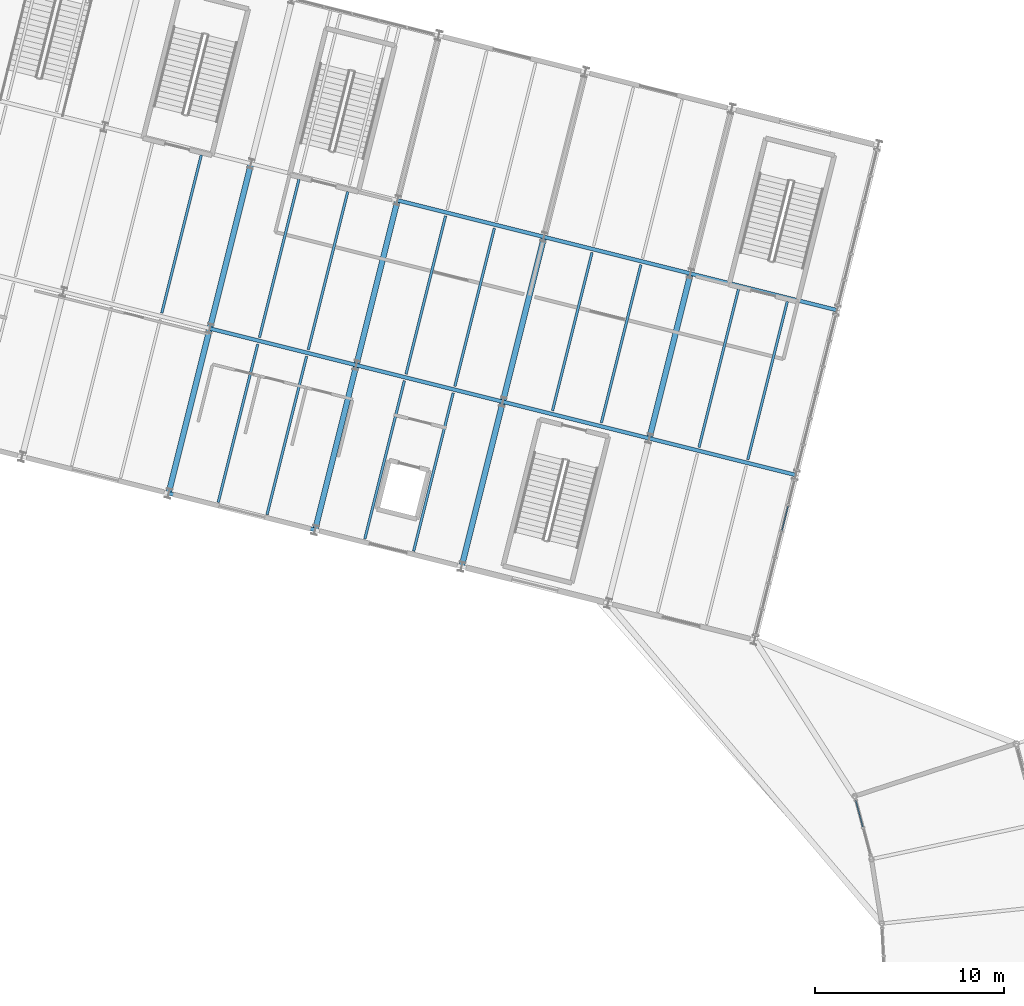
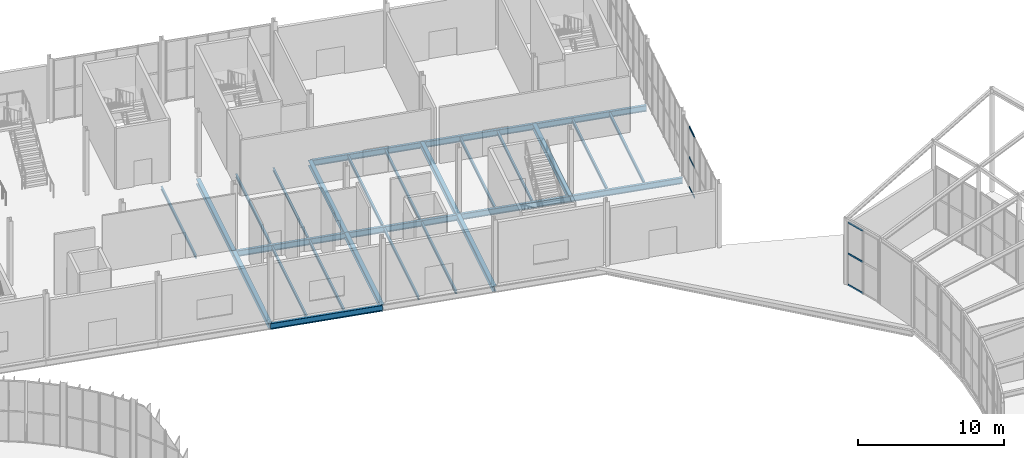
# One storey, part 96 of 158: 28 beams, 6 members, 2 elements without a shape of their own.
"""IFC4 building model written with IfcOpenShell, lengths in metres."""

import ifcopenshell
import ifcopenshell.guid

model = None  # the IFC model being written
_history = None  # IfcOwnerHistory: only IFC2X3 demands one
_inside = {}  # id of a spatial element -> (the spatial element, [elements in it])
_under = {}  # id of a project, library or spatial element -> (it, [spatial elements below it])
_declared = {}  # id of a project -> (the project, [libraries it declares])
_typed = {}  # id of a type object -> (the type object, [elements of that type])
_made_of = {}  # id of a material, layer set ... -> (it, [elements and type objects made of it])


def new_model(schema):
    """Start an empty IFC model of exactly this schema.

    Asked for "IFC4X3", IfcOpenShell would pick the latest addendum, in which some entities
    have other attributes; the version numbers below select the first issue.
    IFC2X3 requires an IfcOwnerHistory on every rooted entity: one is made here for all.
    """
    global model, _history
    if schema == "IFC4X3":
        model = ifcopenshell.file(schema_version=(4, 3, 0, 0))
    else:
        model = ifcopenshell.file(schema=schema)
    _inside.clear()
    _under.clear()
    _declared.clear()
    _typed.clear()
    _made_of.clear()
    _history = None
    if model.schema == "IFC2X3":
        org = make("IfcOrganization", Name="unknown")
        user = make(
            "IfcPersonAndOrganization",
            ThePerson=make("IfcPerson", FamilyName="unknown"),
            TheOrganization=org,
        )
        app = make(
            "IfcApplication",
            ApplicationDeveloper=org,
            Version="unknown",
            ApplicationFullName="unknown",
            ApplicationIdentifier="unknown",
        )
        _history = make(
            "IfcOwnerHistory",
            OwningUser=user,
            OwningApplication=app,
            ChangeAction="ADDED",
            CreationDate=0,
        )
    return model


def make(cls, **values):
    """One entity of the class cls with the attributes given. An attribute that is None is left unset."""
    return model.create_entity(
        cls, **{name: value for name, value in values.items() if value is not None}
    )


def rooted(cls, **values):
    """An entity with a GlobalId (a new one), such as an element, a storey or a relation."""
    return make(cls, GlobalId=ifcopenshell.guid.new(), OwnerHistory=_history, **values)


def si_unit(unit_type, name, prefix=None):
    """IfcSIUnit, for example si_unit("LENGTHUNIT", "METRE", prefix="MILLI")."""
    return make("IfcSIUnit", UnitType=unit_type, Prefix=prefix, Name=name)


def derived_unit(unit_type, elements):
    """IfcDerivedUnit: a product of units, each with its exponent."""
    return make(
        "IfcDerivedUnit",
        Elements=[
            make("IfcDerivedUnitElement", Unit=unit, Exponent=power)
            for unit, power in elements
        ],
        UnitType=unit_type,
    )


def assignment(units):
    """IfcUnitAssignment: the units of a project."""
    return None if units is None else make("IfcUnitAssignment", Units=units)


def point(xyz):
    """IfcCartesianPoint."""
    return None if xyz is None else make("IfcCartesianPoint", Coordinates=xyz)


def direction(xyz):
    """IfcDirection."""
    return None if xyz is None else make("IfcDirection", DirectionRatios=xyz)


def frame(location, z_axis=None, x_axis=None):
    """IfcAxis2Placement3D, a coordinate frame: its origin and axes. An axis left out is left unset."""
    return make(
        "IfcAxis2Placement3D",
        Location=point(location),
        Axis=direction(z_axis),
        RefDirection=direction(x_axis),
    )


def frame_2d(location, x_axis=None):
    """IfcAxis2Placement2D, a coordinate frame in the plane: its origin and x axis."""
    return make(
        "IfcAxis2Placement2D", Location=point(location), RefDirection=direction(x_axis)
    )


def origin():
    """The frame at (0, 0, 0) with its axes left unset."""
    return frame((0.0, 0.0, 0.0))


def origin_2d():
    """The frame at (0, 0) in the plane with its x axis left unset."""
    return frame_2d((0.0, 0.0))


def place(relative_to, where):
    """IfcLocalPlacement: puts the frame where relative to a parent placement (None: the world)."""
    return make(
        "IfcLocalPlacement", PlacementRelTo=relative_to, RelativePlacement=where
    )


def context(
    kind, dimensions, precision=None, world=None, true_north=None, identifier=None
):
    """IfcGeometricRepresentationContext, for example the 3D "Model" context."""
    return make(
        "IfcGeometricRepresentationContext",
        ContextIdentifier=identifier,
        ContextType=kind,
        CoordinateSpaceDimension=dimensions,
        Precision=precision,
        WorldCoordinateSystem=world,
        TrueNorth=true_north,
    )


def subcontext(parent, identifier, kind, view, scale=None):
    """IfcGeometricRepresentationSubContext, for example "Body" below "Model"."""
    return make(
        "IfcGeometricRepresentationSubContext",
        ContextIdentifier=identifier,
        ContextType=kind,
        ParentContext=parent,
        TargetScale=scale,
        TargetView=view,
    )


def project(units=None, contexts=None):
    """IfcProject with its units and contexts."""
    return rooted(
        "IfcProject",
        Name="project",
        RepresentationContexts=contexts,
        UnitsInContext=assignment(units),
    )


def spatial(cls, under=None, at=None, **own):
    """A site, building, storey or space (cls), placed at a placement, below another one or the project."""
    s = rooted(cls, ObjectPlacement=at, **own)
    if under is not None:
        _under.setdefault(under.id(), (under, []))[1].append(s)
    return s


def profile(cls, at=None, kind="AREA", **sizes):
    """A parametric profile (cls). Its sizes go by their IFC names, for example OverallWidth=200.0."""
    return make(cls, ProfileType=kind, Position=at, **sizes)


def hollow_rectangle(**sizes):
    """IfcRectangleHollowProfileDef."""
    return profile("IfcRectangleHollowProfileDef", **sizes)


def i_section(**sizes):
    """IfcIShapeProfileDef."""
    return profile("IfcIShapeProfileDef", **sizes)


def extrude(swept, where, along, depth):
    """IfcExtrudedAreaSolid: the profile swept, set in the frame where, extruded along a direction by depth."""
    return make(
        "IfcExtrudedAreaSolid",
        SweptArea=swept,
        Position=where,
        ExtrudedDirection=direction(along),
        Depth=depth,
    )


def shape(context_of_items, identifier, shape_type, items):
    """IfcShapeRepresentation: the items that make up one representation, for example the "Body"."""
    return make(
        "IfcShapeRepresentation",
        ContextOfItems=context_of_items,
        RepresentationIdentifier=identifier,
        RepresentationType=shape_type,
        Items=items,
    )


def material(Name=None, Category=None):
    """IfcMaterial."""
    return make("IfcMaterial", Name=Name, Category=Category)


def material_profile(
    of_material, cross_section, Name=None, Category=None, Priority=None
):
    """IfcMaterialProfile: a cross section and its material."""
    return make(
        "IfcMaterialProfile",
        Name=Name,
        Material=of_material,
        Profile=cross_section,
        Priority=Priority,
        Category=Category,
    )


def profile_set(profiles, Name=None, composite=None):
    """IfcMaterialProfileSet."""
    return make(
        "IfcMaterialProfileSet",
        Name=Name,
        MaterialProfiles=profiles,
        CompositeProfile=composite,
    )


def made_of(thing, what):
    """Note that an element or type object is made of a material, layer set ...; save() writes the relation."""
    if what is not None:
        _made_of.setdefault(what.id(), (what, []))[1].append(thing)
    return thing


def type_object(cls, material=None, **own):
    """A type object (cls), such as IfcWallType, which elements share."""
    return made_of(rooted(cls, **own), material)


def element(
    cls,
    number,
    at=None,
    inside=None,
    cuts=None,
    type_object=None,
    material=None,
    context=None,
    identifier="Body",
    shape_type=None,
    held_by="IfcProductDefinitionShape",
    body=None,
    shapes=None,
    **own,
):
    """One element of the class cls, such as IfcWall. Its Tag is "e" and its number.

    at: its placement. inside: the storey or other place that contains it. cuts: it is an
    opening in that element (IfcRelVoidsElement). A single representation is given by context,
    identifier, shape_type and body (its items); several are given by shapes. held_by: the class
    of the entity that holds the representations. save() writes the other relations.
    """
    e = rooted(cls, Tag="e%d" % number, ObjectPlacement=at, **own)
    if body is not None:
        shapes = [shape(context, identifier, shape_type, body)]
    if shapes is not None:
        e.Representation = make(held_by, Representations=shapes)
    if inside is not None:
        _inside.setdefault(inside.id(), (inside, []))[1].append(e)
    if cuts is not None:
        rooted(
            "IfcRelVoidsElement", RelatingBuildingElement=cuts, RelatedOpeningElement=e
        )
    if type_object is not None:
        _typed.setdefault(type_object.id(), (type_object, []))[1].append(e)
    return made_of(e, material)


def aggregate(whole, parts):
    """IfcRelAggregates: a whole, such as a stair, and the parts it consists of."""
    return rooted("IfcRelAggregates", RelatingObject=whole, RelatedObjects=parts)


def save(model, path):
    """Write the relations noted so far, then the file.

    IfcRelAggregates (storeys below a building ...), IfcRelContainedInSpatialStructure (elements
    in a storey), IfcRelDefinesByType, IfcRelAssociatesMaterial and IfcRelDeclares: one each for
    every whole, place, type object, material and project.
    """
    for whole, parts in _under.values():
        aggregate(whole, parts)
    for where, things in _inside.values():
        rooted(
            "IfcRelContainedInSpatialStructure",
            RelatedElements=things,
            RelatingStructure=where,
        )
    for kind, things in _typed.values():
        rooted("IfcRelDefinesByType", RelatedObjects=things, RelatingType=kind)
    for what, things in _made_of.values():
        rooted("IfcRelAssociatesMaterial", RelatedObjects=things, RelatingMaterial=what)
    for by, libraries in _declared.values():
        rooted("IfcRelDeclares", RelatingContext=by, RelatedDefinitions=libraries)
    model.write(path)


model = new_model("IFC4")

# Units and contexts
model_context = context("Model", 3, precision=1e-05, world=origin(), true_north=direction((0.0, 1.0)))
body_context = subcontext(model_context, "Body", "Model", "MODEL_VIEW")
ifc_project = project(units=[si_unit("LENGTHUNIT", "METRE"), si_unit("AREAUNIT", "SQUARE_METRE"), si_unit("VOLUMEUNIT", "CUBIC_METRE"), si_unit("PLANEANGLEUNIT", "RADIAN"), si_unit("MASSUNIT", "GRAM", prefix="KILO"), si_unit("THERMODYNAMICTEMPERATUREUNIT", "KELVIN"), si_unit("TIMEUNIT", "SECOND"), derived_unit("THERMALTRANSMITTANCEUNIT", [(si_unit("MASSUNIT", "GRAM", prefix="KILO"), 1), (si_unit("THERMODYNAMICTEMPERATUREUNIT", "KELVIN"), -1), (si_unit("TIMEUNIT", "SECOND"), -3)])], contexts=[model_context])

# Site, building, storey
site_placement = place(None, origin())
site = spatial("IfcSite", under=ifc_project, at=site_placement, CompositionType="ELEMENT")
building_placement = place(site_placement, origin())
building = spatial("IfcBuilding", under=site, at=building_placement, Name="Cambertide Market Hall", CompositionType="ELEMENT")
storey_placement = place(building_placement, origin())
storey = spatial("IfcBuildingStorey", under=building, at=storey_placement, Name="L01", CompositionType="ELEMENT", Elevation=0.0)

# Curtain wall, members
ifc_material_1 = material(Name="Marine Anodized Aluminium 6063-T6 AA25", Category="aluminium")
curtain_wall_type_1 = type_object("IfcCurtainWallType", Name="Cooking School Ground Showcase Wall", PredefinedType="USERDEFINED", material=ifc_material_1)
curtain_wall_1_placement = place(storey_placement, origin())
curtain_wall_1 = element("IfcCurtainWall", 1, at=curtain_wall_1_placement, inside=storey, type_object=curtain_wall_type_1, Name="Level 1 Curtain Wall CW-V4E-L01-1", ObjectType="UNITIZED CURTAIN WALL", PredefinedType="USERDEFINED")
ifc_material_2 = material(Name="Champagne Marine Anodized Aluminium 6063-T6 AA25", Category="aluminium")
ifc_material_profile_1 = material_profile(ifc_material_2, hollow_rectangle(XDim=0.06494140625, YDim=0.139892578125, WallThickness=0.00341796875, at=origin_2d()), Name="ALU TRANSOM 65x140")
ifc_profile_set_1 = profile_set([ifc_material_profile_1], Name="Champagne Marine Anodized Aluminium 6063-T6 AA25")
member_type = type_object("IfcMemberType", Name="Curtain Wall Transom ALU TRANSOM 65x140", PredefinedType="USERDEFINED", material=ifc_profile_set_1)
member_1_placement = place(storey_placement, frame((171.859619140625, 91.559814453125, 0.034912109375), z_axis=(-0.242492756941, -0.970153216163, 0.0), x_axis=(0.970153216163, -0.242492756941, 0.0)))
member_1 = element("IfcMember", 2, at=member_1_placement, type_object=member_type, Name="CW-V4E-L01-1 Transom 1-2", ObjectType="TRANSOM", PredefinedType="USERDEFINED", context=body_context, shape_type="SweptSolid", body=[
    extrude(hollow_rectangle(XDim=0.06494140625, YDim=0.139892578125, WallThickness=0.00341796875, at=origin_2d()), origin(), (0.0, 0.0, 1.0), 1.340087890625),
])
member_2_placement = place(storey_placement, frame((171.859619140625, 91.559814453125, 2.550048828125), z_axis=(-0.242492756941, -0.970153216163, 0.0), x_axis=(0.970153216163, -0.242492756941, 0.0)))
member_2 = element("IfcMember", 3, at=member_2_placement, type_object=member_type, Name="CW-V4E-L01-1 Transom 2-2", ObjectType="TRANSOM", PredefinedType="USERDEFINED", context=body_context, shape_type="SweptSolid", body=[
    extrude(hollow_rectangle(XDim=0.06494140625, YDim=0.139892578125, WallThickness=0.00341796875, at=origin_2d()), origin(), (0.0, 0.0, 1.0), 1.340087890625),
])
member_3_placement = place(storey_placement, frame((171.859619140625, 91.559814453125, 5.06494140625), z_axis=(-0.242492756941, -0.970153216163, 0.0), x_axis=(0.970153216163, -0.242492756941, 0.0)))
member_3 = element("IfcMember", 4, at=member_3_placement, type_object=member_type, Name="CW-V4E-L01-1 Transom 3-2", ObjectType="TRANSOM", PredefinedType="USERDEFINED", context=body_context, shape_type="SweptSolid", body=[
    extrude(hollow_rectangle(XDim=0.06494140625, YDim=0.139892578125, WallThickness=0.00341796875, at=origin_2d()), origin(), (0.0, 0.0, 1.0), 1.340087890625),
])
aggregate(curtain_wall_1, [member_1, member_2, member_3])

ifc_material_3 = material(Name="Marine Anodized Aluminium 6063-T6 AA25", Category="aluminium")
curtain_wall_type_2 = type_object("IfcCurtainWallType", Name="Promenade Crescent Inner Glazed Wall", PredefinedType="USERDEFINED", material=ifc_material_3)
curtain_wall_2_placement = place(storey_placement, origin())
curtain_wall_2 = element("IfcCurtainWall", 5, at=curtain_wall_2_placement, inside=storey, type_object=curtain_wall_type_2, Name="Level 1 Curtain Wall CW-V5I-L01-9", ObjectType="UNITIZED CURTAIN WALL", PredefinedType="USERDEFINED")
member_4_placement = place(storey_placement, frame((175.821533203125, 74.56787109375, 0.034912109375), z_axis=(-0.258775435055, 0.965937510511, 0.0), x_axis=(-0.965937510511, -0.258775435055, 0.0)))
member_4 = element("IfcMember", 6, at=member_4_placement, type_object=member_type, Name="CW-V5I-L01-9 Transom 1-2", ObjectType="TRANSOM", PredefinedType="USERDEFINED", context=body_context, shape_type="SweptSolid", body=[
    extrude(hollow_rectangle(XDim=0.06494140625, YDim=0.139892578125, WallThickness=0.00341796875, at=origin_2d()), origin(), (0.0, 0.0, 1.0), 1.447265625),
])
member_5_placement = place(storey_placement, frame((175.821533203125, 74.56787109375, 2.64990234375), z_axis=(-0.258775435055, 0.965937510511, 0.0), x_axis=(-0.965937510511, -0.258775435055, 0.0)))
member_5 = element("IfcMember", 7, at=member_5_placement, type_object=member_type, Name="CW-V5I-L01-9 Transom 2-2", ObjectType="TRANSOM", PredefinedType="USERDEFINED", context=body_context, shape_type="SweptSolid", body=[
    extrude(hollow_rectangle(XDim=0.06494140625, YDim=0.139892578125, WallThickness=0.00341796875, at=origin_2d()), origin(), (0.0, 0.0, 1.0), 1.447265625),
])
member_6_placement = place(storey_placement, frame((175.821533203125, 74.56787109375, 5.264892578125), z_axis=(-0.258775435055, 0.965937510511, 0.0), x_axis=(-0.965937510511, -0.258775435055, 0.0)))
member_6 = element("IfcMember", 8, at=member_6_placement, type_object=member_type, Name="CW-V5I-L01-9 Transom 3-2", ObjectType="TRANSOM", PredefinedType="USERDEFINED", context=body_context, shape_type="SweptSolid", body=[
    extrude(hollow_rectangle(XDim=0.06494140625, YDim=0.139892578125, WallThickness=0.00341796875, at=origin_2d()), origin(), (0.0, 0.0, 1.0), 1.447265625),
])
aggregate(curtain_wall_2, [member_4, member_5, member_6])

# Beams
ifc_material_4 = material(Name="Steel S355", Category="steel")
ifc_material_profile_2 = material_profile(ifc_material_4, i_section(OverallWidth=0.300048828125, OverallDepth=0.449951171875, WebThickness=0.013916015625, FlangeThickness=0.02587890625, FilletRadius=0.027099609375, at=origin_2d()), Name="HEB 450")
ifc_profile_set_2 = profile_set([ifc_material_profile_2], Name="Steel S355")
beam_type_1 = type_object("IfcBeamType", Name="Steel Girder HEB 450", PredefinedType="BEAM", material=ifc_profile_set_2)
for number, where, z_axis, x_axis, name in (
    (9, (139.044677734375, 92.23876953125, -0.52490234375), (0.242510094215, 0.970148882494, 0.0), (-0.970148882494, 0.242510094215, 0.0), "Level 1 Beam BM-V4V-L01-5-1"),
    (10, (141.227294921875, 100.97021484375, -0.52490234375), (0.242542007841, 0.970140904422, 0.0), (-0.970140904422, 0.242542007841, 0.0), "Level 1 Beam BM-V4V-L01-5-2"),
    (11, (146.8056640625, 90.298583984375, -0.52490234375), (0.242542007841, 0.970140904422, 0.0), (-0.970140904422, 0.242542007841, 0.0), "Level 1 Beam BM-V4V-L01-6-1"),
):
    element("IfcBeam", number, at=place(storey_placement, frame(where, z_axis=z_axis, x_axis=x_axis)), inside=storey, type_object=beam_type_1, Name=name, PredefinedType="BEAM", context=body_context, shape_type="SweptSolid", body=[
        extrude(i_section(OverallWidth=0.300048828125, OverallDepth=0.449951171875, WebThickness=0.013916015625, FlangeThickness=0.02587890625, FilletRadius=0.027099609375, at=origin_2d()), origin(), (0.0, 0.0, 1.0), 9.0),
    ])
beam_1_placement = place(storey_placement, frame((148.988525390625, 99.02978515625, -0.52490234375), z_axis=(0.242535625036, 0.970142500145, 0.0), x_axis=(-0.970142500145, 0.242535625036, 0.0)))
element("IfcBeam", 12, at=beam_1_placement, inside=storey, type_object=beam_type_1, Name="Level 1 Beam BM-V4V-L01-6-2", PredefinedType="BEAM", context=body_context, shape_type="SweptSolid", body=[
    extrude(i_section(OverallWidth=0.300048828125, OverallDepth=0.449951171875, WebThickness=0.013916015625, FlangeThickness=0.02587890625, FilletRadius=0.027099609375, at=origin_2d()), origin(), (0.0, 0.0, 1.0), 9.000244140625),
])
beam_2_placement = place(storey_placement, frame((154.56689453125, 88.3583984375, -0.52490234375), z_axis=(0.242542007841, 0.970140904422, 0.0), x_axis=(-0.970140904422, 0.242542007841, 0.0)))
element("IfcBeam", 13, at=beam_2_placement, inside=storey, type_object=beam_type_1, Name="Level 1 Beam BM-V4V-L01-7-1", PredefinedType="BEAM", context=body_context, shape_type="SweptSolid", body=[
    extrude(i_section(OverallWidth=0.300048828125, OverallDepth=0.449951171875, WebThickness=0.013916015625, FlangeThickness=0.02587890625, FilletRadius=0.027099609375, at=origin_2d()), origin(), (0.0, 0.0, 1.0), 9.0),
])
beam_3_placement = place(storey_placement, frame((156.749755859375, 97.089599609375, -0.52490234375), z_axis=(0.242516476432, 0.970147287096, 0.0), x_axis=(-0.970147287096, 0.242516476432, 0.0)))
element("IfcBeam", 14, at=beam_3_placement, inside=storey, type_object=beam_type_1, Name="Level 1 Beam BM-V4V-L01-7-2", PredefinedType="BEAM", context=body_context, shape_type="SweptSolid", body=[
    extrude(i_section(OverallWidth=0.300048828125, OverallDepth=0.449951171875, WebThickness=0.013916015625, FlangeThickness=0.02587890625, FilletRadius=0.027099609375, at=origin_2d()), origin(), (0.0, 0.0, 1.0), 8.999755859375),
])
beam_4_placement = place(storey_placement, frame((164.5107421875, 95.149169921875, -0.52490234375), z_axis=(0.242535625036, 0.970142500145, 0.0), x_axis=(-0.970142500145, 0.242535625036, 0.0)))
element("IfcBeam", 15, at=beam_4_placement, inside=storey, type_object=beam_type_1, Name="Level 1 Beam BM-V4V-L01-8-2", PredefinedType="BEAM", context=body_context, shape_type="SweptSolid", body=[
    extrude(i_section(OverallWidth=0.300048828125, OverallDepth=0.449951171875, WebThickness=0.013916015625, FlangeThickness=0.02587890625, FilletRadius=0.027099609375, at=origin_2d()), origin(), (0.0, 0.0, 1.0), 9.000244140625),
])
ifc_material_5 = material(Name="Steel S355", Category="steel")
ifc_material_profile_3 = material_profile(ifc_material_5, i_section(OverallWidth=0.199951171875, OverallDepth=0.5, WebThickness=0.01025390625, FlangeThickness=0.01611328125, FilletRadius=0.02099609375, at=origin_2d()), Name="IPE 500")
ifc_profile_set_3 = profile_set([ifc_material_profile_3], Name="Steel S355")
beam_type_2 = type_object("IfcBeamType", Name="Steel Girder IPE 500", PredefinedType="BEAM", material=ifc_profile_set_3)
beam_5_placement = place(storey_placement, frame((139.044677734375, 92.23876953125, -0.550048828125), z_axis=(0.970144295309, -0.242528444268, 0.0), x_axis=(0.242528444268, 0.970144295309, 0.0)))
element("IfcBeam", 16, at=beam_5_placement, inside=storey, type_object=beam_type_2, Name="Level 1 Beam BM-V4U-L01-5-1", PredefinedType="BEAM", context=body_context, shape_type="SweptSolid", body=[
    extrude(i_section(OverallWidth=0.199951171875, OverallDepth=0.5, WebThickness=0.01025390625, FlangeThickness=0.01611328125, FilletRadius=0.02099609375, at=origin_2d()), origin(), (0.0, 0.0, 1.0), 7.999755859375),
])
beam_6_placement = place(storey_placement, frame((141.227294921875, 100.97021484375, -0.550048828125), z_axis=(0.970138909791, -0.242549986002, 0.0), x_axis=(0.242549986002, 0.970138909791, 0.0)))
element("IfcBeam", 17, at=beam_6_placement, inside=storey, type_object=beam_type_2, Name="Level 1 Beam BM-V4U-L01-5-2", PredefinedType="BEAM", context=body_context, shape_type="SweptSolid", body=[
    extrude(i_section(OverallWidth=0.199951171875, OverallDepth=0.5, WebThickness=0.01025390625, FlangeThickness=0.01611328125, FilletRadius=0.02099609375, at=origin_2d()), origin(), (0.0, 0.0, 1.0), 8.000244140625),
])
for number, where, z_axis, x_axis, name in (
    (18, (148.988525390625, 99.02978515625, -0.550048828125), (0.970146090314, -0.242521263911, 0.0), (0.242521263911, 0.970146090314, 0.0), "Level 1 Beam BM-V4U-L01-6-2"),
    (19, (151.17138671875, 107.76123046875, -0.550048828125), (0.970137114374, -0.242557167103, 0.0), (0.242557167103, 0.970137114374, 0.0), "Level 1 Beam BM-V4U-L01-6-3"),
    (20, (156.749755859375, 97.089599609375, -0.550048828125), (0.970137114374, -0.242557167103, 0.0), (0.242557167103, 0.970137114374, 0.0), "Level 1 Beam BM-V4U-L01-7-2"),
    (21, (158.932373046875, 105.82080078125, -0.550048828125), (0.970146090314, -0.242521263911, 0.0), (0.242521263911, 0.970146090314, 0.0), "Level 1 Beam BM-V4U-L01-7-3"),
    (22, (164.5107421875, 95.149169921875, -0.550048828125), (0.970146090314, -0.242521263911, 0.0), (0.242521263911, 0.970146090314, 0.0), "Level 1 Beam BM-V4U-L01-8-2"),
):
    element("IfcBeam", number, at=place(storey_placement, frame(where, z_axis=z_axis, x_axis=x_axis)), inside=storey, type_object=beam_type_2, Name=name, PredefinedType="BEAM", context=body_context, shape_type="SweptSolid", body=[
        extrude(i_section(OverallWidth=0.199951171875, OverallDepth=0.5, WebThickness=0.01025390625, FlangeThickness=0.01611328125, FilletRadius=0.02099609375, at=origin_2d()), origin(), (0.0, 0.0, 1.0), 8.0),
    ])
beam_7_placement = place(storey_placement, frame((166.693603515625, 103.880615234375, -0.550048828125), z_axis=(0.970138909791, -0.242549986002, 0.0), x_axis=(0.242549986002, 0.970138909791, 0.0)))
element("IfcBeam", 23, at=beam_7_placement, inside=storey, type_object=beam_type_2, Name="Level 1 Beam BM-V4U-L01-8-3", PredefinedType="BEAM", context=body_context, shape_type="SweptSolid", body=[
    extrude(i_section(OverallWidth=0.199951171875, OverallDepth=0.5, WebThickness=0.01025390625, FlangeThickness=0.01611328125, FilletRadius=0.02099609375, at=origin_2d()), origin(), (0.0, 0.0, 1.0), 8.000244140625),
])
ifc_material_6 = material(Name="Steel S275", Category="steel")
ifc_material_profile_4 = material_profile(ifc_material_6, i_section(OverallWidth=0.135009765625, OverallDepth=0.27001953125, WebThickness=0.006591796875, FlangeThickness=0.01025390625, FilletRadius=0.014892578125, at=origin_2d()), Name="IPE 270")
ifc_profile_set_4 = profile_set([ifc_material_profile_4], Name="Steel S275")
beam_type_3 = type_object("IfcBeamType", Name="Steel Secondary Joist IPE 270", PredefinedType="JOIST", material=ifc_profile_set_4)
beam_8_placement = place(storey_placement, frame((138.68408203125, 101.79150390625, -0.43505859375), z_axis=(0.242528976348, 0.970144162293, 0.0), x_axis=(-0.970144162293, 0.242528976348, 0.0)))
element("IfcBeam", 24, at=beam_8_placement, inside=storey, type_object=beam_type_3, Name="Level 1 Joist JS-V4-L01-4-2-2", PredefinedType="JOIST", context=body_context, shape_type="SweptSolid", body=[
    extrude(i_section(OverallWidth=0.135009765625, OverallDepth=0.27001953125, WebThickness=0.006591796875, FlangeThickness=0.01025390625, FilletRadius=0.014892578125, at=origin_2d()), origin(), (0.0, 0.0, 1.0), 8.64013671875),
])
beam_9_placement = place(storey_placement, frame((141.67529296875, 91.766845703125, -0.43505859375), z_axis=(0.242535625036, 0.970142500145, 0.0), x_axis=(-0.970142500145, 0.242535625036, 0.0)))
element("IfcBeam", 25, at=beam_9_placement, inside=storey, type_object=beam_type_3, Name="Level 1 Joist JS-V4-L01-5-1-1", PredefinedType="JOIST", context=body_context, shape_type="SweptSolid", body=[
    extrude(i_section(OverallWidth=0.135009765625, OverallDepth=0.27001953125, WebThickness=0.006591796875, FlangeThickness=0.01025390625, FilletRadius=0.014892578125, at=origin_2d()), origin(), (0.0, 0.0, 1.0), 8.639892578125),
])
for number, where, z_axis, x_axis, name in (
    (26, (144.26220703125, 91.119873046875, -0.43505859375), (0.242555570896, 0.970137513463, 0.0), (-0.970137513463, 0.242555570896, 0.0), "Level 1 Joist JS-V4-L01-5-1-2"),
    (27, (143.858154296875, 100.498046875, -0.43505859375), (0.242528976348, 0.970144162293, 0.0), (-0.970144162293, 0.242528976348, 0.0), "Level 1 Joist JS-V4-L01-5-2-1"),
):
    element("IfcBeam", number, at=place(storey_placement, frame(where, z_axis=z_axis, x_axis=x_axis)), inside=storey, type_object=beam_type_3, Name=name, PredefinedType="JOIST", context=body_context, shape_type="SweptSolid", body=[
        extrude(i_section(OverallWidth=0.135009765625, OverallDepth=0.27001953125, WebThickness=0.006591796875, FlangeThickness=0.01025390625, FilletRadius=0.014892578125, at=origin_2d()), origin(), (0.0, 0.0, 1.0), 8.64013671875),
    ])
beam_10_placement = place(storey_placement, frame((146.445068359375, 99.851318359375, -0.43505859375), z_axis=(0.242535625036, 0.970142500145, 0.0), x_axis=(-0.970142500145, 0.242535625036, 0.0)))
element("IfcBeam", 28, at=beam_10_placement, inside=storey, type_object=beam_type_3, Name="Level 1 Joist JS-V4-L01-5-2-2", PredefinedType="JOIST", context=body_context, shape_type="SweptSolid", body=[
    extrude(i_section(OverallWidth=0.135009765625, OverallDepth=0.27001953125, WebThickness=0.006591796875, FlangeThickness=0.01025390625, FilletRadius=0.014892578125, at=origin_2d()), origin(), (0.0, 0.0, 1.0), 8.639892578125),
])
for number, where, z_axis, x_axis, name in (
    (29, (149.4365234375, 89.826416015625, -0.43505859375), (0.242528976348, 0.970144162293, 0.0), (-0.970144162293, 0.242528976348, 0.0), "Level 1 Joist JS-V4-L01-6-1-1"),
    (30, (152.0234375, 89.1796875, -0.43505859375), (0.242528976348, 0.970144162293, 0.0), (-0.970144162293, 0.242528976348, 0.0), "Level 1 Joist JS-V4-L01-6-1-2"),
    (31, (151.619140625, 98.5576171875, -0.43505859375), (0.242555570896, 0.970137513463, 0.0), (-0.970137513463, 0.242555570896, 0.0), "Level 1 Joist JS-V4-L01-6-2-1"),
    (32, (154.206298828125, 97.910888671875, -0.43505859375), (0.242528976348, 0.970144162293, 0.0), (-0.970144162293, 0.242528976348, 0.0), "Level 1 Joist JS-V4-L01-6-2-2"),
    (33, (159.38037109375, 96.617431640625, -0.43505859375), (0.242528976348, 0.970144162293, 0.0), (-0.970144162293, 0.242528976348, 0.0), "Level 1 Joist JS-V4-L01-7-2-1"),
    (34, (161.967529296875, 95.970703125, -0.43505859375), (0.242528976348, 0.970144162293, 0.0), (-0.970144162293, 0.242528976348, 0.0), "Level 1 Joist JS-V4-L01-7-2-2"),
):
    element("IfcBeam", number, at=place(storey_placement, frame(where, z_axis=z_axis, x_axis=x_axis)), inside=storey, type_object=beam_type_3, Name=name, PredefinedType="JOIST", context=body_context, shape_type="SweptSolid", body=[
        extrude(i_section(OverallWidth=0.135009765625, OverallDepth=0.27001953125, WebThickness=0.006591796875, FlangeThickness=0.01025390625, FilletRadius=0.014892578125, at=origin_2d()), origin(), (0.0, 0.0, 1.0), 8.64013671875),
    ])
beam_11_placement = place(storey_placement, frame((167.1416015625, 94.67724609375, -0.43505859375), z_axis=(0.242535625036, 0.970142500145, 0.0), x_axis=(-0.970142500145, 0.242535625036, 0.0)))
element("IfcBeam", 35, at=beam_11_placement, inside=storey, type_object=beam_type_3, Name="Level 1 Joist JS-V4-L01-8-2-1", PredefinedType="JOIST", context=body_context, shape_type="SweptSolid", body=[
    extrude(i_section(OverallWidth=0.135009765625, OverallDepth=0.27001953125, WebThickness=0.006591796875, FlangeThickness=0.01025390625, FilletRadius=0.014892578125, at=origin_2d()), origin(), (0.0, 0.0, 1.0), 8.639892578125),
])
beam_12_placement = place(storey_placement, frame((169.728515625, 94.0302734375, -0.43505859375), z_axis=(0.242528976348, 0.970144162293, 0.0), x_axis=(-0.970144162293, 0.242528976348, 0.0)))
element("IfcBeam", 36, at=beam_12_placement, inside=storey, type_object=beam_type_3, Name="Level 1 Joist JS-V4-L01-8-2-2", PredefinedType="JOIST", context=body_context, shape_type="SweptSolid", body=[
    extrude(i_section(OverallWidth=0.135009765625, OverallDepth=0.27001953125, WebThickness=0.006591796875, FlangeThickness=0.01025390625, FilletRadius=0.014892578125, at=origin_2d()), origin(), (0.0, 0.0, 1.0), 8.64013671875),
])

save(model, "model.ifc")
